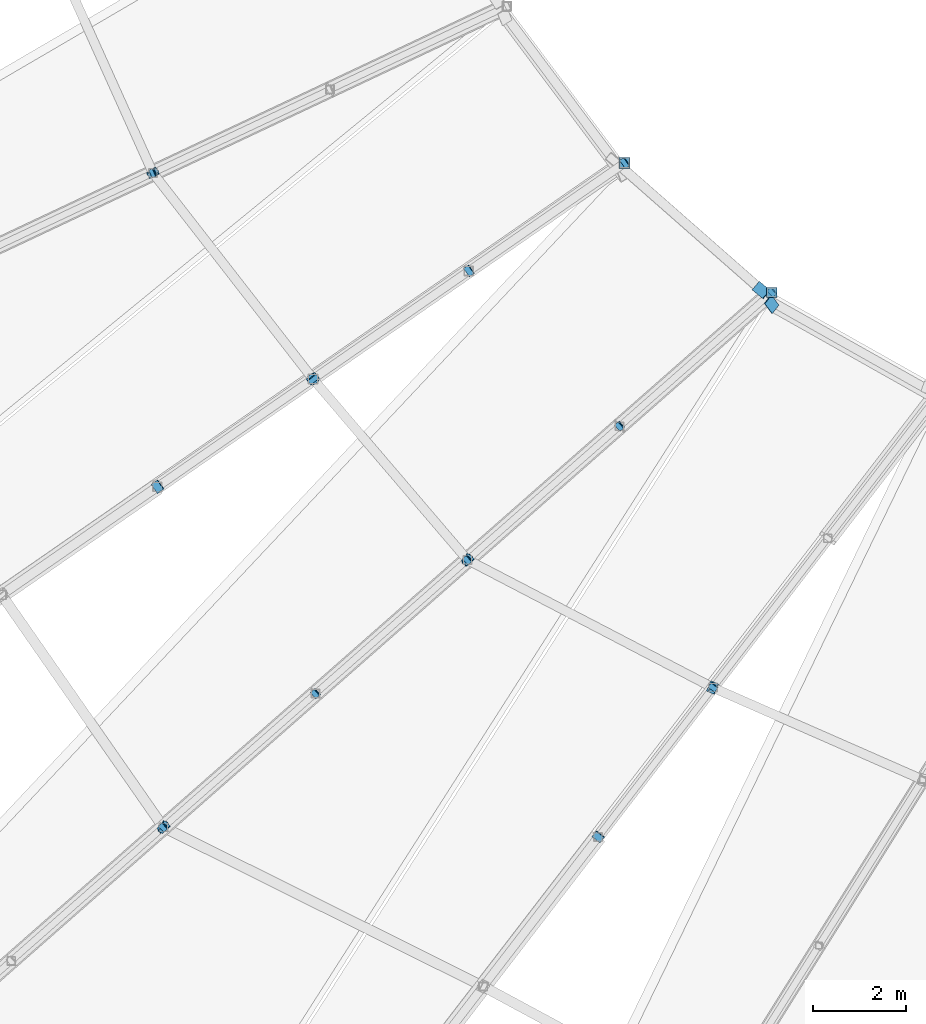
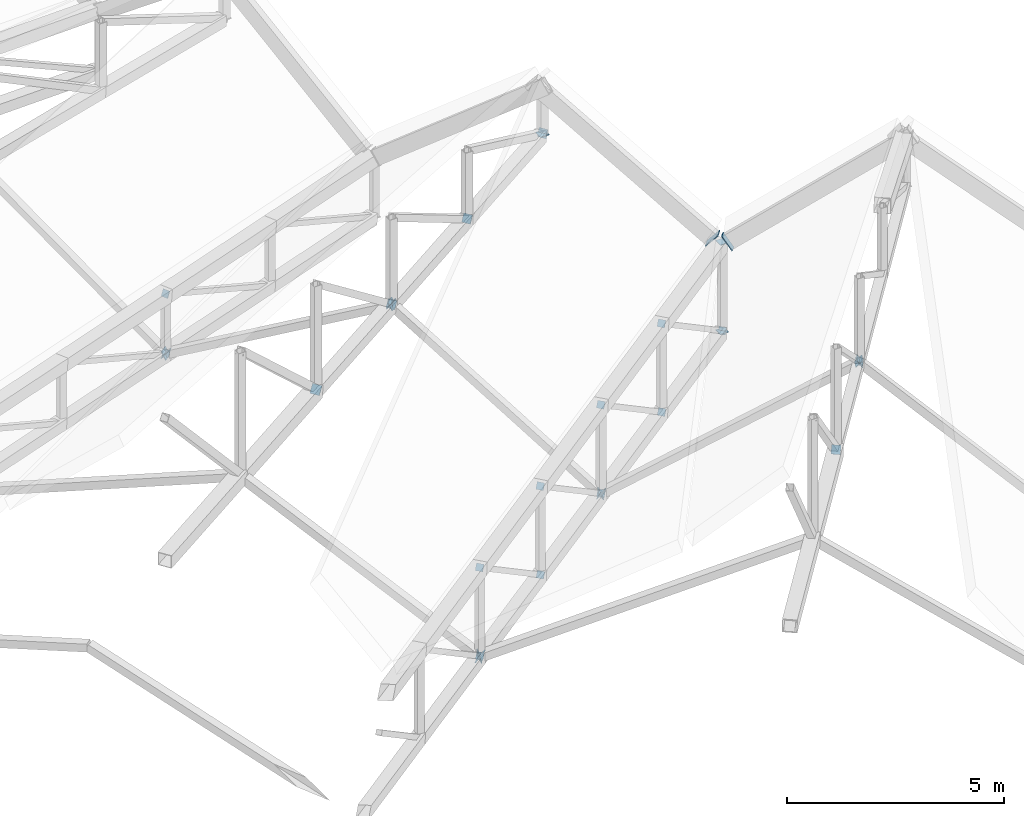
# One storey, part 281 of 344: 32 discrete accessories.
"""IFC4 building model written with IfcOpenShell, lengths in metres."""

from ifc_helpers import new_model, si_unit, direction, frame, origin, origin_2d, place, context, subcontext, project, spatial, rectangle, extrude, material, material_profile, profile_set, type_object, element, save


model = new_model("IFC4")

# Units and contexts
model_context = context("Model", 3, precision=1e-05, world=origin(), true_north=direction((0.0, 1.0)))
body_context = subcontext(model_context, "Body", "Model", "MODEL_VIEW")
ifc_project = project(units=[si_unit("LENGTHUNIT", "METRE"), si_unit("AREAUNIT", "SQUARE_METRE"), si_unit("VOLUMEUNIT", "CUBIC_METRE"), si_unit("PLANEANGLEUNIT", "RADIAN"), si_unit("MASSUNIT", "GRAM", prefix="KILO")], contexts=[model_context])

# Site, building, storey
site_placement = place(None, origin())
site = spatial("IfcSite", under=ifc_project, at=site_placement, CompositionType="ELEMENT")
building_placement = place(site_placement, origin())
building = spatial("IfcBuilding", under=site, at=building_placement, Name="Meseta Stadium", CompositionType="ELEMENT")
storey_placement = place(building_placement, frame((0.0, 0.0, 24.0)))
storey = spatial("IfcBuildingStorey", under=building, at=storey_placement, Name="L04", CompositionType="ELEMENT", Elevation=24.0)

# Discrete accessories
ifc_material_1 = material(Name="Steel S355", Category="steel")
ifc_material_profile_1 = material_profile(ifc_material_1, rectangle(XDim=0.179931640625, YDim=0.179931640625, at=origin_2d()), Name="PL 180x180")
ifc_profile_set_1 = profile_set([ifc_material_profile_1], Name="Steel S355")
discrete_accessory_type_1 = type_object("IfcDiscreteAccessoryType", Name="End plate 180x180x20", PredefinedType="ANCHORPLATE", material=ifc_profile_set_1)
for number, where, z_axis, x_axis, name in (
    (1, (-51.738525390625, -59.17529296875, 5.056884765625), (-0.807162077407, -0.379121581812, 0.452499952486), (0.425136471467, -0.905129261834, 0.0), "End plate of ROOF TRUSS RT-39 diagonal"),
    (2, (-51.722412109375, -59.167724609375, 3.3681640625), (-0.807162077407, -0.379121581812, 0.452499952486), (0.425136471467, -0.905129261834, 0.0), "End plate of ROOF TRUSS RT-39 diagonal"),
    (3, (-38.393798828125, -61.741455078125, 0.895751953125), (-0.620936240212, -0.535709697438, 0.572235358627), (0.653233256547, -0.757156729179, 0.0), "End plate of ROOF TRUSS RT-41 diagonal"),
    (4, (-41.68310546875, -64.63232421875, 4.00439453125), (-0.613369973061, -0.539765576293, 0.576567774677), (0.660627894892, -0.750713516923, 0.0), "End plate of ROOF TRUSS RT-41 diagonal"),
    (5, (-41.6708984375, -64.62158203125, 1.4990234375), (-0.609031921418, -0.535948090848, 0.584670644561), (0.660627894892, -0.750713516923, 0.0), "End plate of ROOF TRUSS RT-41 diagonal"),
    (6, (-44.960205078125, -67.51220703125, 4.607666015625), (-0.609031921418, -0.535948090848, 0.584670644561), (0.660627894892, -0.750713516923, 0.0), "End plate of ROOF TRUSS RT-41 diagonal"),
    (7, (-44.947998046875, -67.50146484375, 2.1025390625), (-0.613369973061, -0.539765576293, 0.576567774677), (0.660627894892, -0.750713516923, 0.0), "End plate of ROOF TRUSS RT-41 diagonal"),
):
    element("IfcDiscreteAccessory", number, at=place(storey_placement, frame(where, z_axis=z_axis, x_axis=x_axis)), inside=storey, type_object=discrete_accessory_type_1, Name=name, PredefinedType="ANCHORPLATE", context=body_context, shape_type="SweptSolid", body=[
        extrude(rectangle(XDim=0.179931640625, YDim=0.179931640625, at=origin_2d()), origin(), (0.0, 0.0, 1.0), 0.02001953125),
    ])
discrete_accessory_1_placement = place(storey_placement, frame((-48.237060546875, -70.392333984375, 5.2109375), z_axis=(-0.616609740429, -0.531977030959, 0.580338579228), x_axis=(0.653233256547, -0.757156729179, 0.0)))
element("IfcDiscreteAccessory", 8, at=discrete_accessory_1_placement, inside=storey, type_object=discrete_accessory_type_1, Name="End plate of ROOF TRUSS RT-41 diagonal", PredefinedType="ANCHORPLATE", context=body_context, shape_type="SweptSolid", body=[
    extrude(rectangle(XDim=0.179931640625, YDim=0.179931640625, at=origin_2d()), origin(), (0.0, 0.0, 1.0), 0.020263671875),
])
for number, where, z_axis, x_axis, name in (
    (9, (-48.224853515625, -70.381591796875, 2.705810546875), (-0.613369973061, -0.539765576293, 0.576567774677), (0.660627894892, -0.750713516923, 0.0), "End plate of ROOF TRUSS RT-41 diagonal"),
    (10, (-51.51416015625, -73.2724609375, 5.814453125), (-0.613369973061, -0.539765576293, 0.576567774677), (0.660627894892, -0.750713516923, 0.0), "End plate of ROOF TRUSS RT-41 diagonal"),
    (11, (-51.501953125, -73.26171875, 3.30908203125), (-0.609031921418, -0.535948090848, 0.584670644561), (0.660627894892, -0.750713516923, 0.0), "End plate of ROOF TRUSS RT-41 diagonal"),
):
    element("IfcDiscreteAccessory", number, at=place(storey_placement, frame(where, z_axis=z_axis, x_axis=x_axis)), inside=storey, type_object=discrete_accessory_type_1, Name=name, PredefinedType="ANCHORPLATE", context=body_context, shape_type="SweptSolid", body=[
        extrude(rectangle(XDim=0.179931640625, YDim=0.179931640625, at=origin_2d()), origin(), (0.0, 0.0, 1.0), 0.02001953125),
    ])
discrete_accessory_2_placement = place(storey_placement, frame((-39.6630859375, -70.2529296875, 5.634765625), z_axis=(-0.472042894851, -0.617286862498, 0.629390526468), x_axis=(0.794357832977, -0.607450107571, 0.0)))
element("IfcDiscreteAccessory", 12, at=discrete_accessory_2_placement, inside=storey, type_object=discrete_accessory_type_1, Name="End plate of ROOF TRUSS RT-42 diagonal", PredefinedType="ANCHORPLATE", context=body_context, shape_type="SweptSolid", body=[
    extrude(rectangle(XDim=0.179931640625, YDim=0.179931640625, at=origin_2d()), origin(), (0.0, 0.0, 1.0), 0.020263671875),
])
ifc_material_2 = material(Name="Steel S355", Category="steel")
ifc_material_profile_2 = material_profile(ifc_material_2, rectangle(XDim=0.219970703125, YDim=0.219970703125, at=origin_2d()), Name="PL 220x220")
ifc_profile_set_2 = profile_set([ifc_material_profile_2], Name="Steel S355")
discrete_accessory_type_2 = type_object("IfcDiscreteAccessoryType", Name="End plate 220x220x20", PredefinedType="ANCHORPLATE", material=ifc_profile_set_2)
for number, where, z_axis, x_axis, name in (
    (13, (-41.56494140625, -58.95361328125, 5.8798828125), (-0.73165291302, -0.499962823897, 0.463380178246), (0.564190505026, -0.825644641501, 0.0), "End plate of ROOF TRUSS RT-40 diagonal"),
    (14, (-44.9208984375, -61.279052734375, 6.05712890625), (-0.685069750249, -0.477102147495, 0.550502477878), (0.57149375376, -0.820606415655, 0.0), "End plate of ROOF TRUSS RT-40 diagonal"),
    (15, (-48.276611328125, -63.604736328125, 6.234619140625), (-0.655569641534, -0.449186606236, 0.607008927346), (0.565231440294, -0.824932372321, 0.0), "End plate of ROOF TRUSS RT-40 diagonal"),
):
    element("IfcDiscreteAccessory", number, at=place(storey_placement, frame(where, z_axis=z_axis, x_axis=x_axis)), inside=storey, type_object=discrete_accessory_type_2, Name=name, PredefinedType="ANCHORPLATE", context=body_context, shape_type="SweptSolid", body=[
        extrude(rectangle(XDim=0.219970703125, YDim=0.219970703125, at=origin_2d()), origin(), (0.0, 0.0, 1.0), 0.02001953125),
    ])
discrete_accessory_3_placement = place(storey_placement, frame((-38.40625, -61.752197265625, 0.887451171875), z_axis=(0.0, 0.0, 1.0), x_axis=(1.0, 0.0, 0.0)))
element("IfcDiscreteAccessory", 16, at=discrete_accessory_3_placement, inside=storey, type_object=discrete_accessory_type_2, Name="End plate of ROOF TRUSS RT-41 post", PredefinedType="ANCHORPLATE", context=body_context, shape_type="SweptSolid", body=[
    extrude(rectangle(XDim=0.219970703125, YDim=0.219970703125, at=origin_2d()), origin(), (0.0, 0.0, 1.0), 0.019775390625),
])
for number, where, z_axis, x_axis, name in (
    (17, (-38.40625, -61.752197265625, 3.40087890625), (0.0, 0.0, 1.0), (1.0, 0.0, 0.0), "End plate of ROOF TRUSS RT-41 post"),
    (18, (-42.138671875, -73.47265625, 5.96826171875), (-0.452094425935, -0.586500876888, 0.672032254768), (0.792010197197, -0.610507860339, 0.0), "End plate of ROOF TRUSS RT-42 diagonal"),
):
    element("IfcDiscreteAccessory", number, at=place(storey_placement, frame(where, z_axis=z_axis, x_axis=x_axis)), inside=storey, type_object=discrete_accessory_type_2, Name=name, PredefinedType="ANCHORPLATE", context=body_context, shape_type="SweptSolid", body=[
        extrude(rectangle(XDim=0.219970703125, YDim=0.219970703125, at=origin_2d()), origin(), (0.0, 0.0, 1.0), 0.02001953125),
    ])
ifc_material_3 = material(Name="Steel S355", Category="steel")
ifc_material_profile_3 = material_profile(ifc_material_3, rectangle(XDim=0.239990234375, YDim=0.239990234375, at=origin_2d()), Name="PL 240x240")
ifc_profile_set_3 = profile_set([ifc_material_profile_3], Name="Steel S355")
discrete_accessory_type_3 = type_object("IfcDiscreteAccessoryType", Name="End plate 240x240x20", PredefinedType="ANCHORPLATE", material=ifc_profile_set_3)
for number, where, z_axis, x_axis, name in (
    (19, (-41.57958984375, -58.963623046875, 5.869140625), (0.0, 0.0, 1.0), (1.0, 0.0, 0.0), "End plate of ROOF TRUSS RT-40 post"),
    (20, (-51.632568359375, -65.93017578125, 6.412353515625), (-0.60858061945, -0.426006433615, 0.669438681395), (0.573462344363, -0.819231920519, 0.0), "End plate of ROOF TRUSS RT-40 diagonal"),
):
    element("IfcDiscreteAccessory", number, at=place(storey_placement, frame(where, z_axis=z_axis, x_axis=x_axis)), inside=storey, type_object=discrete_accessory_type_3, Name=name, PredefinedType="ANCHORPLATE", context=body_context, shape_type="SweptSolid", body=[
        extrude(rectangle(XDim=0.239990234375, YDim=0.239990234375, at=origin_2d()), origin(), (0.0, 0.0, 1.0), 0.02001953125),
    ])
discrete_accessory_4_placement = place(storey_placement, frame((-51.738525390625, -59.17529296875, 3.377197265625), z_axis=(0.350903456416, -0.786507747139, -0.508205005844), x_axis=(0.913231249272, 0.407441634291, 0.0)))
element("IfcDiscreteAccessory", 21, at=discrete_accessory_4_placement, inside=storey, type_object=discrete_accessory_type_3, Name="End plate of ROOF TRUSS STRUT RT-38/39", PredefinedType="ANCHORPLATE", context=body_context, shape_type="SweptSolid", body=[
    extrude(rectangle(XDim=0.239990234375, YDim=0.239990234375, at=origin_2d()), origin(), (0.0, 0.0, 1.0), 0.020263671875),
])
for number, where, z_axis, x_axis, name in (
    (22, (-51.74951171875, -59.161376953125, 3.3681640625), (0.552116069452, -0.699347021306, 0.453962101549), (0.784882765533, 0.619644288579, 0.0), "End plate of ROOF TRUSS STRUT RT-39/40"),
    (23, (-48.289794921875, -63.61376953125, 6.246826171875), (0.552116069452, -0.699347021306, 0.453962101549), (0.784882765533, 0.619644288579, 0.0), "End plate of ROOF TRUSS STRUT RT-39/40"),
    (24, (-48.2998046875, -63.601806640625, 6.25927734375), (0.501531397154, -0.599391181965, -0.623856128167), (0.766936804903, 0.641722632674, 0.0), "End plate of ROOF TRUSS STRUT RT-40/41"),
    (25, (-44.960205078125, -67.51220703125, 2.114013671875), (0.510602919511, -0.595703406096, -0.620017830835), (0.759256602365, 0.650791373456, 0.0), "End plate of ROOF TRUSS STRUT RT-40/41"),
):
    element("IfcDiscreteAccessory", number, at=place(storey_placement, frame(where, z_axis=z_axis, x_axis=x_axis)), inside=storey, type_object=discrete_accessory_type_3, Name=name, PredefinedType="ANCHORPLATE", context=body_context, shape_type="SweptSolid", body=[
        extrude(rectangle(XDim=0.239990234375, YDim=0.239990234375, at=origin_2d()), origin(), (0.0, 0.0, 1.0), 0.02001953125),
    ])
discrete_accessory_5_placement = place(storey_placement, frame((-44.975341796875, -67.50439453125, 2.103759765625), z_axis=(0.76132384224, -0.39294133793, 0.515735506033), x_axis=(0.45864291977, 0.888620657055, 0.0)))
element("IfcDiscreteAccessory", 26, at=discrete_accessory_5_placement, inside=storey, type_object=discrete_accessory_type_3, Name="End plate of ROOF TRUSS STRUT RT-41/42", PredefinedType="ANCHORPLATE", context=body_context, shape_type="SweptSolid", body=[
    extrude(rectangle(XDim=0.239990234375, YDim=0.239990234375, at=origin_2d()), origin(), (0.0, 0.0, 1.0), 0.019775390625),
])
for number, where, z_axis, x_axis, name in (
    (27, (-39.672607421875, -70.265380859375, 5.6474609375), (0.771165244667, -0.391702981418, 0.501869444942), (0.452865456809, 0.891578868093, 0.0), "End plate of ROOF TRUSS STRUT RT-41/42"),
    (28, (-39.685546875, -70.259765625, 5.66162109375), (0.647401435218, -0.280947792642, -0.708477042315), (0.398093118023, 0.917345011096, 0.0), "End plate of ROOF TRUSS STRUT RT-42/43"),
):
    element("IfcDiscreteAccessory", number, at=place(storey_placement, frame(where, z_axis=z_axis, x_axis=x_axis)), inside=storey, type_object=discrete_accessory_type_3, Name=name, PredefinedType="ANCHORPLATE", context=body_context, shape_type="SweptSolid", body=[
        extrude(rectangle(XDim=0.239990234375, YDim=0.239990234375, at=origin_2d()), origin(), (0.0, 0.0, 1.0), 0.02001953125),
    ])
ifc_material_4 = material(Name="Steel S355", Category="steel")
ifc_material_profile_4 = material_profile(ifc_material_4, rectangle(XDim=0.239990234375, YDim=0.43994140625, at=origin_2d()), Name="PL 240x440")
ifc_profile_set_4 = profile_set([ifc_material_profile_4], Name="Steel S355")
discrete_accessory_type_4 = type_object("IfcDiscreteAccessoryType", Name="End plate 240x440x20", PredefinedType="ANCHORPLATE", material=ifc_profile_set_4)
for number, where, z_axis, x_axis, name in (
    (29, (-38.635986328125, -61.694580078125, 3.56005859375), (0.560267806352, -0.487189396828, -0.669885420638), (0.647684893766, 0.761808338853, -0.012342335289), "End plate of TIP RING BEAM 41"),
    (30, (-38.4150390625, -61.9990234375, 3.55859375), (0.710600779219, -0.404307339901, 0.575831665919), (0.602068709002, 0.772913595238, -0.200294393175), "End plate of TIP RING BEAM 42"),
):
    element("IfcDiscreteAccessory", number, at=place(storey_placement, frame(where, z_axis=z_axis, x_axis=x_axis)), inside=storey, type_object=discrete_accessory_type_4, Name=name, PredefinedType="ANCHORPLATE", context=body_context, shape_type="SweptSolid", body=[
        extrude(rectangle(XDim=0.239990234375, YDim=0.43994140625, at=origin_2d()), origin(), (0.0, 0.0, 1.0), 0.02001953125),
    ])
ifc_material_5 = material(Name="Steel S355", Category="steel")
ifc_material_profile_5 = material_profile(ifc_material_5, rectangle(XDim=0.260009765625, YDim=0.260009765625, at=origin_2d()), Name="PL 260x260")
ifc_profile_set_5 = profile_set([ifc_material_profile_5], Name="Steel S355")
discrete_accessory_type_5 = type_object("IfcDiscreteAccessoryType", Name="End plate 260x260x20", PredefinedType="ANCHORPLATE", material=ifc_profile_set_5)
for number, where, z_axis, x_axis, name in (
    (31, (-51.51416015625, -73.2724609375, 3.32080078125), (0.501531397154, -0.721715912978, -0.477066450951), (0.821188788729, 0.570656615896, 0.0), "End plate of ROOF TRUSS STRUT RT-40/41"),
    (32, (-51.53076171875, -73.26416015625, 3.3134765625), (0.831994933195, -0.415997466598, 0.367056588174), (0.4472135955, 0.894427191, 0.0), "End plate of ROOF TRUSS STRUT RT-41/42"),
):
    element("IfcDiscreteAccessory", number, at=place(storey_placement, frame(where, z_axis=z_axis, x_axis=x_axis)), inside=storey, type_object=discrete_accessory_type_5, Name=name, PredefinedType="ANCHORPLATE", context=body_context, shape_type="SweptSolid", body=[
        extrude(rectangle(XDim=0.260009765625, YDim=0.260009765625, at=origin_2d()), origin(), (0.0, 0.0, 1.0), 0.02001953125),
    ])

save(model, "model.ifc")
